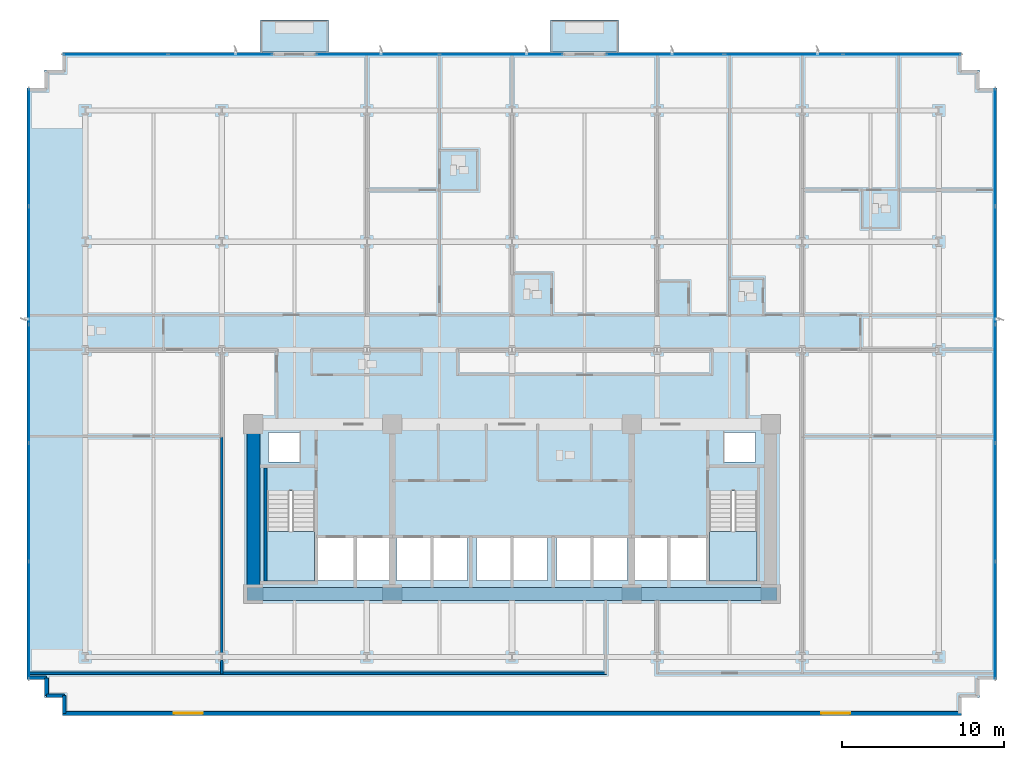
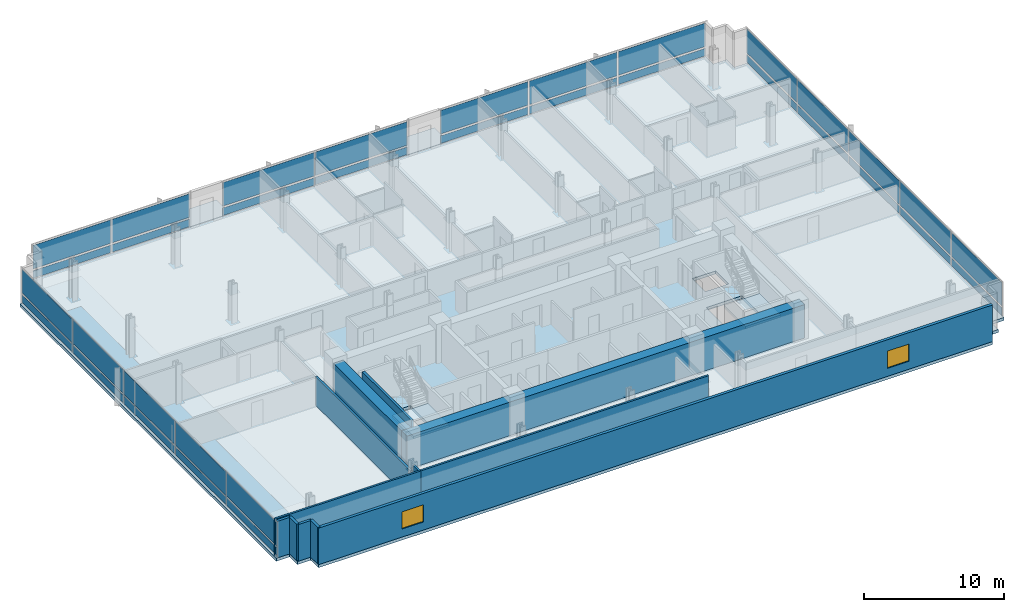
# One storey, part 7 of 18: 34 plates, 12 walls, 5 slabs, 2 windows, 2 openings, 7 elements without a shape of their own.
"""IFC4 building model written with IfcOpenShell, lengths in metres."""

from ifc_helpers import new_model, si_unit, direction, frame, frame_2d, origin, origin_2d, place, context, subcontext, project, spatial, polyline, rectangle, outline, extrude, material, layer, layer_set, type_object, element, fill, aggregate, save


model = new_model("IFC4")

# Units and contexts
model_context = context("Model", 3, precision=1e-05, world=origin(), true_north=direction((0.0, 1.0)))
body_context = subcontext(model_context, "Body", "Model", "MODEL_VIEW")
ifc_project = project(units=[si_unit("LENGTHUNIT", "METRE"), si_unit("AREAUNIT", "SQUARE_METRE"), si_unit("VOLUMEUNIT", "CUBIC_METRE"), si_unit("PLANEANGLEUNIT", "RADIAN"), si_unit("MASSUNIT", "GRAM", prefix="KILO")], contexts=[model_context])

# Site, building, storey
site_placement = place(None, origin())
site = spatial("IfcSite", under=ifc_project, at=site_placement, CompositionType="ELEMENT")
building_placement = place(site_placement, origin())
building = spatial("IfcBuilding", under=site, at=building_placement, Name="Solmavex Isthmus Hotel", CompositionType="ELEMENT")
storey_placement = place(building_placement, frame((0.0, 0.0, 43.64990234375)))
storey = spatial("IfcBuildingStorey", under=building, at=storey_placement, Name="L11", CompositionType="ELEMENT", Elevation=43.64990234375)

# Curtain wall, plates
ifc_material_1 = material(Name="Aluminium alloy 6063-T6", Category="aluminium")
curtain_wall_type = type_object("IfcCurtainWallType", Name="CW-SYS-02", PredefinedType="NOTDEFINED", material=ifc_material_1)
curtain_wall_1_placement = place(storey_placement, origin())
curtain_wall_1 = element("IfcCurtainWall", 1, at=curtain_wall_1_placement, inside=storey, type_object=curtain_wall_type, Name="Stick Curtain Wall CWL-L11-N1", PredefinedType="NOTDEFINED")
ifc_material_2 = material(Name="Clear low-E laminated glass", Category="glass")
ifc_layer_1 = layer(ifc_material_2, 0.031982421875)
ifc_layer_set_1 = layer_set([ifc_layer_1], Name="Clear low-E laminated glass")
plate_type = type_object("IfcPlateType", Name="CW-SYS-02-PNL", PredefinedType="CURTAIN_PANEL", material=ifc_layer_set_1)
plate_1_placement = place(storey_placement, frame((-24.522216796875, 20.3798828125, 0.16015625), z_axis=(0.0, 0.0, 1.0), x_axis=(1.0, 0.0, 0.0)))
plate_1 = element("IfcPlate", 2, at=plate_1_placement, type_object=plate_type, Name="CW-02 panel 1.1", PredefinedType="CURTAIN_PANEL", context=body_context, shape_type="SweptSolid", body=[
    extrude(rectangle(XDim=6.405517578125, YDim=0.031982421875, at=origin_2d()), origin(), (0.0, 0.0, 1.0), 0.659912109375),
])
plate_2_placement = place(storey_placement, frame((-24.522216796875, 20.3798828125, 0.97998046875), z_axis=(0.0, 0.0, 1.0), x_axis=(1.0, 0.0, 0.0)))
plate_2 = element("IfcPlate", 3, at=plate_2_placement, type_object=plate_type, Name="CW-02 panel 1.2", PredefinedType="CURTAIN_PANEL", context=body_context, shape_type="SweptSolid", body=[
    extrude(rectangle(XDim=6.405517578125, YDim=0.031982421875, at=origin_2d()), origin(), (0.0, 0.0, 1.0), 2.050048828125),
])
plate_3_placement = place(storey_placement, frame((-18.041748046875, 20.3798828125, 0.16015625), z_axis=(0.0, 0.0, 1.0), x_axis=(1.0, 0.0, 0.0)))
plate_3 = element("IfcPlate", 4, at=plate_3_placement, type_object=plate_type, Name="CW-02 panel 2.1", PredefinedType="CURTAIN_PANEL", context=body_context, shape_type="SweptSolid", body=[
    extrude(rectangle(XDim=6.405517578125, YDim=0.031982421875, at=origin_2d()), origin(), (0.0, 0.0, 1.0), 0.659912109375),
])
plate_4_placement = place(storey_placement, frame((-18.041748046875, 20.3798828125, 0.97998046875), z_axis=(0.0, 0.0, 1.0), x_axis=(1.0, 0.0, 0.0)))
plate_4 = element("IfcPlate", 5, at=plate_4_placement, type_object=plate_type, Name="CW-02 panel 2.2", PredefinedType="CURTAIN_PANEL", context=body_context, shape_type="SweptSolid", body=[
    extrude(rectangle(XDim=6.405517578125, YDim=0.031982421875, at=origin_2d()), origin(), (0.0, 0.0, 1.0), 2.050048828125),
])
aggregate(curtain_wall_1, [plate_1, plate_2, plate_3, plate_4])

curtain_wall_2_placement = place(storey_placement, origin())
curtain_wall_2 = element("IfcCurtainWall", 6, at=curtain_wall_2_placement, inside=storey, type_object=curtain_wall_type, Name="Stick Curtain Wall CWL-L11-N2", PredefinedType="NOTDEFINED")
plate_5_placement = place(storey_placement, frame((-8.30712890625, 20.3798828125, 0.16015625), z_axis=(0.0, 0.0, 1.0), x_axis=(1.0, 0.0, 0.0)))
plate_5 = element("IfcPlate", 7, at=plate_5_placement, type_object=plate_type, Name="CW-02 panel 1.1", PredefinedType="CURTAIN_PANEL", context=body_context, shape_type="SweptSolid", body=[
    extrude(rectangle(XDim=7.5634765625, YDim=0.031982421875, at=origin_2d()), origin(), (0.0, 0.0, 1.0), 0.659912109375),
])
plate_6_placement = place(storey_placement, frame((-8.30712890625, 20.3798828125, 0.97998046875), z_axis=(0.0, 0.0, 1.0), x_axis=(1.0, 0.0, 0.0)))
plate_6 = element("IfcPlate", 8, at=plate_6_placement, type_object=plate_type, Name="CW-02 panel 1.2", PredefinedType="CURTAIN_PANEL", context=body_context, shape_type="SweptSolid", body=[
    extrude(rectangle(XDim=7.5634765625, YDim=0.031982421875, at=origin_2d()), origin(), (0.0, 0.0, 1.0), 2.050048828125),
])
plate_7_placement = place(storey_placement, frame((-0.668701171875, 20.3798828125, 0.16015625), z_axis=(0.0, 0.0, 1.0), x_axis=(1.0, 0.0, 0.0)))
plate_7 = element("IfcPlate", 9, at=plate_7_placement, type_object=plate_type, Name="CW-02 panel 2.1", PredefinedType="CURTAIN_PANEL", context=body_context, shape_type="SweptSolid", body=[
    extrude(rectangle(XDim=7.5634765625, YDim=0.031982421875, at=origin_2d()), origin(), (0.0, 0.0, 1.0), 0.659912109375),
])
plate_8_placement = place(storey_placement, frame((-0.668701171875, 20.3798828125, 0.97998046875), z_axis=(0.0, 0.0, 1.0), x_axis=(1.0, 0.0, 0.0)))
plate_8 = element("IfcPlate", 10, at=plate_8_placement, type_object=plate_type, Name="CW-02 panel 2.2", PredefinedType="CURTAIN_PANEL", context=body_context, shape_type="SweptSolid", body=[
    extrude(rectangle(XDim=7.5634765625, YDim=0.031982421875, at=origin_2d()), origin(), (0.0, 0.0, 1.0), 2.050048828125),
])
aggregate(curtain_wall_2, [plate_5, plate_6, plate_7, plate_8])

curtain_wall_3_placement = place(storey_placement, origin())
curtain_wall_3 = element("IfcCurtainWall", 11, at=curtain_wall_3_placement, inside=storey, type_object=curtain_wall_type, Name="Stick Curtain Wall CWL-L11-N3", PredefinedType="NOTDEFINED")
plate_9_placement = place(storey_placement, frame((9.475341796875, 20.3798828125, 0.16015625), z_axis=(0.0, 0.0, 1.0), x_axis=(1.0, 0.0, 0.0)))
plate_9 = element("IfcPlate", 12, at=plate_9_placement, type_object=plate_type, Name="CW-02 panel 1.1", PredefinedType="CURTAIN_PANEL", context=body_context, shape_type="SweptSolid", body=[
    extrude(rectangle(XDim=7.224853515625, YDim=0.031982421875, at=origin_2d()), origin(), (0.0, 0.0, 1.0), 0.659912109375),
])
plate_10_placement = place(storey_placement, frame((9.475341796875, 20.3798828125, 0.97998046875), z_axis=(0.0, 0.0, 1.0), x_axis=(1.0, 0.0, 0.0)))
plate_10 = element("IfcPlate", 13, at=plate_10_placement, type_object=plate_type, Name="CW-02 panel 1.2", PredefinedType="CURTAIN_PANEL", context=body_context, shape_type="SweptSolid", body=[
    extrude(rectangle(XDim=7.224853515625, YDim=0.031982421875, at=origin_2d()), origin(), (0.0, 0.0, 1.0), 2.050048828125),
])
plate_11_placement = place(storey_placement, frame((16.7939453125, 20.3798828125, 0.16015625), z_axis=(0.0, 0.0, 1.0), x_axis=(1.0, 0.0, 0.0)))
plate_11 = element("IfcPlate", 14, at=plate_11_placement, type_object=plate_type, Name="CW-02 panel 2.1", PredefinedType="CURTAIN_PANEL", context=body_context, shape_type="SweptSolid", body=[
    extrude(rectangle(XDim=7.262451171875, YDim=0.031982421875, at=origin_2d()), origin(), (0.0, 0.0, 1.0), 0.659912109375),
])
plate_12_placement = place(storey_placement, frame((16.7939453125, 20.3798828125, 0.97998046875), z_axis=(0.0, 0.0, 1.0), x_axis=(1.0, 0.0, 0.0)))
plate_12 = element("IfcPlate", 15, at=plate_12_placement, type_object=plate_type, Name="CW-02 panel 2.2", PredefinedType="CURTAIN_PANEL", context=body_context, shape_type="SweptSolid", body=[
    extrude(rectangle(XDim=7.262451171875, YDim=0.031982421875, at=origin_2d()), origin(), (0.0, 0.0, 1.0), 2.050048828125),
])
plate_13_placement = place(storey_placement, frame((24.112548828125, 20.3798828125, 0.16015625), z_axis=(0.0, 0.0, 1.0), x_axis=(1.0, 0.0, 0.0)))
plate_13 = element("IfcPlate", 16, at=plate_13_placement, type_object=plate_type, Name="CW-02 panel 3.1", PredefinedType="CURTAIN_PANEL", context=body_context, shape_type="SweptSolid", body=[
    extrude(rectangle(XDim=7.224853515625, YDim=0.031982421875, at=origin_2d()), origin(), (0.0, 0.0, 1.0), 0.659912109375),
])
plate_14_placement = place(storey_placement, frame((24.112548828125, 20.3798828125, 0.97998046875), z_axis=(0.0, 0.0, 1.0), x_axis=(1.0, 0.0, 0.0)))
plate_14 = element("IfcPlate", 17, at=plate_14_placement, type_object=plate_type, Name="CW-02 panel 3.2", PredefinedType="CURTAIN_PANEL", context=body_context, shape_type="SweptSolid", body=[
    extrude(rectangle(XDim=7.224853515625, YDim=0.031982421875, at=origin_2d()), origin(), (0.0, 0.0, 1.0), 2.050048828125),
])
aggregate(curtain_wall_3, [plate_9, plate_10, plate_11, plate_12, plate_13, plate_14])

curtain_wall_4_placement = place(storey_placement, origin())
curtain_wall_4 = element("IfcCurtainWall", 18, at=curtain_wall_4_placement, inside=storey, type_object=curtain_wall_type, Name="Stick Curtain Wall CWL-L11-W1", PredefinedType="NOTDEFINED")
plate_15_placement = place(storey_placement, frame((-29.8798828125, -14.621337890625, 0.16015625), z_axis=(0.0, 0.0, 1.0), x_axis=(0.0, 1.0, 0.0)))
plate_15 = element("IfcPlate", 19, at=plate_15_placement, type_object=plate_type, Name="CW-02 panel 1.1", PredefinedType="CURTAIN_PANEL", context=body_context, shape_type="SweptSolid", body=[
    extrude(rectangle(XDim=7.20751953125, YDim=0.031982421875, at=origin_2d()), origin(), (0.0, 0.0, 1.0), 0.659912109375),
])
plate_16_placement = place(storey_placement, frame((-29.8798828125, -14.621337890625, 0.97998046875), z_axis=(0.0, 0.0, 1.0), x_axis=(0.0, 1.0, 0.0)))
plate_16 = element("IfcPlate", 20, at=plate_16_placement, type_object=plate_type, Name="CW-02 panel 1.2", PredefinedType="CURTAIN_PANEL", context=body_context, shape_type="SweptSolid", body=[
    extrude(rectangle(XDim=7.20751953125, YDim=0.031982421875, at=origin_2d()), origin(), (0.0, 0.0, 1.0), 2.050048828125),
])
plate_17_placement = place(storey_placement, frame((-29.8798828125, -7.320068359375, 0.16015625), z_axis=(0.0, 0.0, 1.0), x_axis=(0.0, 1.0, 0.0)))
plate_17 = element("IfcPlate", 21, at=plate_17_placement, type_object=plate_type, Name="CW-02 panel 2.1", PredefinedType="CURTAIN_PANEL", context=body_context, shape_type="SweptSolid", body=[
    extrude(rectangle(XDim=7.2451171875, YDim=0.031982421875, at=origin_2d()), origin(), (0.0, 0.0, 1.0), 0.659912109375),
])
plate_18_placement = place(storey_placement, frame((-29.8798828125, -7.320068359375, 0.97998046875), z_axis=(0.0, 0.0, 1.0), x_axis=(0.0, 1.0, 0.0)))
plate_18 = element("IfcPlate", 22, at=plate_18_placement, type_object=plate_type, Name="CW-02 panel 2.2", PredefinedType="CURTAIN_PANEL", context=body_context, shape_type="SweptSolid", body=[
    extrude(rectangle(XDim=7.2451171875, YDim=0.031982421875, at=origin_2d()), origin(), (0.0, 0.0, 1.0), 2.050048828125),
])
plate_19_placement = place(storey_placement, frame((-29.8798828125, 0.0, 0.16015625), z_axis=(0.0, 0.0, 1.0), x_axis=(0.0, 1.0, 0.0)))
plate_19 = element("IfcPlate", 23, at=plate_19_placement, type_object=plate_type, Name="CW-02 panel 3.1", PredefinedType="CURTAIN_PANEL", context=body_context, shape_type="SweptSolid", body=[
    extrude(rectangle(XDim=7.2451171875, YDim=0.031982421875, at=origin_2d()), origin(), (0.0, 0.0, 1.0), 0.659912109375),
])
plate_20_placement = place(storey_placement, frame((-29.8798828125, 0.0, 0.97998046875), z_axis=(0.0, 0.0, 1.0), x_axis=(0.0, 1.0, 0.0)))
plate_20 = element("IfcPlate", 24, at=plate_20_placement, type_object=plate_type, Name="CW-02 panel 3.2", PredefinedType="CURTAIN_PANEL", context=body_context, shape_type="SweptSolid", body=[
    extrude(rectangle(XDim=7.2451171875, YDim=0.031982421875, at=origin_2d()), origin(), (0.0, 0.0, 1.0), 2.050048828125),
])
plate_21_placement = place(storey_placement, frame((-29.8798828125, 7.320068359375, 0.16015625), z_axis=(0.0, 0.0, 1.0), x_axis=(0.0, 1.0, 0.0)))
plate_21 = element("IfcPlate", 25, at=plate_21_placement, type_object=plate_type, Name="CW-02 panel 4.1", PredefinedType="CURTAIN_PANEL", context=body_context, shape_type="SweptSolid", body=[
    extrude(rectangle(XDim=7.2451171875, YDim=0.031982421875, at=origin_2d()), origin(), (0.0, 0.0, 1.0), 0.659912109375),
])
plate_22_placement = place(storey_placement, frame((-29.8798828125, 7.320068359375, 0.97998046875), z_axis=(0.0, 0.0, 1.0), x_axis=(0.0, 1.0, 0.0)))
plate_22 = element("IfcPlate", 26, at=plate_22_placement, type_object=plate_type, Name="CW-02 panel 4.2", PredefinedType="CURTAIN_PANEL", context=body_context, shape_type="SweptSolid", body=[
    extrude(rectangle(XDim=7.2451171875, YDim=0.031982421875, at=origin_2d()), origin(), (0.0, 0.0, 1.0), 2.050048828125),
])
plate_23_placement = place(storey_placement, frame((-29.8798828125, 14.621337890625, 0.16015625), z_axis=(0.0, 0.0, 1.0), x_axis=(0.0, 1.0, 0.0)))
plate_23 = element("IfcPlate", 27, at=plate_23_placement, type_object=plate_type, Name="CW-02 panel 5.1", PredefinedType="CURTAIN_PANEL", context=body_context, shape_type="SweptSolid", body=[
    extrude(rectangle(XDim=7.20751953125, YDim=0.031982421875, at=origin_2d()), origin(), (0.0, 0.0, 1.0), 0.659912109375),
])
plate_24_placement = place(storey_placement, frame((-29.8798828125, 14.621337890625, 0.97998046875), z_axis=(0.0, 0.0, 1.0), x_axis=(0.0, 1.0, 0.0)))
plate_24 = element("IfcPlate", 28, at=plate_24_placement, type_object=plate_type, Name="CW-02 panel 5.2", PredefinedType="CURTAIN_PANEL", context=body_context, shape_type="SweptSolid", body=[
    extrude(rectangle(XDim=7.20751953125, YDim=0.031982421875, at=origin_2d()), origin(), (0.0, 0.0, 1.0), 2.050048828125),
])
aggregate(curtain_wall_4, [plate_15, plate_16, plate_17, plate_18, plate_19, plate_20, plate_21, plate_22, plate_23, plate_24])

curtain_wall_5_placement = place(storey_placement, origin())
curtain_wall_5 = element("IfcCurtainWall", 29, at=curtain_wall_5_placement, inside=storey, type_object=curtain_wall_type, Name="Stick Curtain Wall CWL-L11-E1", PredefinedType="NOTDEFINED")
plate_25_placement = place(storey_placement, frame((29.8798828125, -14.621337890625, 0.16015625), z_axis=(0.0, 0.0, 1.0), x_axis=(0.0, 1.0, 0.0)))
plate_25 = element("IfcPlate", 30, at=plate_25_placement, type_object=plate_type, Name="CW-02 panel 1.1", PredefinedType="CURTAIN_PANEL", context=body_context, shape_type="SweptSolid", body=[
    extrude(rectangle(XDim=7.20751953125, YDim=0.031982421875, at=origin_2d()), origin(), (0.0, 0.0, 1.0), 0.659912109375),
])
plate_26_placement = place(storey_placement, frame((29.8798828125, -14.621337890625, 0.97998046875), z_axis=(0.0, 0.0, 1.0), x_axis=(0.0, 1.0, 0.0)))
plate_26 = element("IfcPlate", 31, at=plate_26_placement, type_object=plate_type, Name="CW-02 panel 1.2", PredefinedType="CURTAIN_PANEL", context=body_context, shape_type="SweptSolid", body=[
    extrude(rectangle(XDim=7.20751953125, YDim=0.031982421875, at=origin_2d()), origin(), (0.0, 0.0, 1.0), 2.050048828125),
])
plate_27_placement = place(storey_placement, frame((29.8798828125, -7.320068359375, 0.16015625), z_axis=(0.0, 0.0, 1.0), x_axis=(0.0, 1.0, 0.0)))
plate_27 = element("IfcPlate", 32, at=plate_27_placement, type_object=plate_type, Name="CW-02 panel 2.1", PredefinedType="CURTAIN_PANEL", context=body_context, shape_type="SweptSolid", body=[
    extrude(rectangle(XDim=7.2451171875, YDim=0.031982421875, at=origin_2d()), origin(), (0.0, 0.0, 1.0), 0.659912109375),
])
plate_28_placement = place(storey_placement, frame((29.8798828125, -7.320068359375, 0.97998046875), z_axis=(0.0, 0.0, 1.0), x_axis=(0.0, 1.0, 0.0)))
plate_28 = element("IfcPlate", 33, at=plate_28_placement, type_object=plate_type, Name="CW-02 panel 2.2", PredefinedType="CURTAIN_PANEL", context=body_context, shape_type="SweptSolid", body=[
    extrude(rectangle(XDim=7.2451171875, YDim=0.031982421875, at=origin_2d()), origin(), (0.0, 0.0, 1.0), 2.050048828125),
])
plate_29_placement = place(storey_placement, frame((29.8798828125, 0.0, 0.16015625), z_axis=(0.0, 0.0, 1.0), x_axis=(0.0, 1.0, 0.0)))
plate_29 = element("IfcPlate", 34, at=plate_29_placement, type_object=plate_type, Name="CW-02 panel 3.1", PredefinedType="CURTAIN_PANEL", context=body_context, shape_type="SweptSolid", body=[
    extrude(rectangle(XDim=7.2451171875, YDim=0.031982421875, at=origin_2d()), origin(), (0.0, 0.0, 1.0), 0.659912109375),
])
plate_30_placement = place(storey_placement, frame((29.8798828125, 0.0, 0.97998046875), z_axis=(0.0, 0.0, 1.0), x_axis=(0.0, 1.0, 0.0)))
plate_30 = element("IfcPlate", 35, at=plate_30_placement, type_object=plate_type, Name="CW-02 panel 3.2", PredefinedType="CURTAIN_PANEL", context=body_context, shape_type="SweptSolid", body=[
    extrude(rectangle(XDim=7.2451171875, YDim=0.031982421875, at=origin_2d()), origin(), (0.0, 0.0, 1.0), 2.050048828125),
])
plate_31_placement = place(storey_placement, frame((29.8798828125, 7.320068359375, 0.16015625), z_axis=(0.0, 0.0, 1.0), x_axis=(0.0, 1.0, 0.0)))
plate_31 = element("IfcPlate", 36, at=plate_31_placement, type_object=plate_type, Name="CW-02 panel 4.1", PredefinedType="CURTAIN_PANEL", context=body_context, shape_type="SweptSolid", body=[
    extrude(rectangle(XDim=7.2451171875, YDim=0.031982421875, at=origin_2d()), origin(), (0.0, 0.0, 1.0), 0.659912109375),
])
plate_32_placement = place(storey_placement, frame((29.8798828125, 7.320068359375, 0.97998046875), z_axis=(0.0, 0.0, 1.0), x_axis=(0.0, 1.0, 0.0)))
plate_32 = element("IfcPlate", 37, at=plate_32_placement, type_object=plate_type, Name="CW-02 panel 4.2", PredefinedType="CURTAIN_PANEL", context=body_context, shape_type="SweptSolid", body=[
    extrude(rectangle(XDim=7.2451171875, YDim=0.031982421875, at=origin_2d()), origin(), (0.0, 0.0, 1.0), 2.050048828125),
])
plate_33_placement = place(storey_placement, frame((29.8798828125, 14.621337890625, 0.16015625), z_axis=(0.0, 0.0, 1.0), x_axis=(0.0, 1.0, 0.0)))
plate_33 = element("IfcPlate", 38, at=plate_33_placement, type_object=plate_type, Name="CW-02 panel 5.1", PredefinedType="CURTAIN_PANEL", context=body_context, shape_type="SweptSolid", body=[
    extrude(rectangle(XDim=7.20751953125, YDim=0.031982421875, at=origin_2d()), origin(), (0.0, 0.0, 1.0), 0.659912109375),
])
plate_34_placement = place(storey_placement, frame((29.8798828125, 14.621337890625, 0.97998046875), z_axis=(0.0, 0.0, 1.0), x_axis=(0.0, 1.0, 0.0)))
plate_34 = element("IfcPlate", 39, at=plate_34_placement, type_object=plate_type, Name="CW-02 panel 5.2", PredefinedType="CURTAIN_PANEL", context=body_context, shape_type="SweptSolid", body=[
    extrude(rectangle(XDim=7.20751953125, YDim=0.031982421875, at=origin_2d()), origin(), (0.0, 0.0, 1.0), 2.050048828125),
])
aggregate(curtain_wall_5, [plate_25, plate_26, plate_27, plate_28, plate_29, plate_30, plate_31, plate_32, plate_33, plate_34])

# Slabs
ifc_material_3 = material(Name="Concrete C40/50", Category="concrete")
ifc_layer_2 = layer(ifc_material_3, 0.239990234375)
ifc_layer_set_2 = layer_set([ifc_layer_2], Name="Concrete C40/50")
slab_type_1 = type_object("IfcSlabType", Name="SLAB-BALC-240", PredefinedType="FLOOR", material=ifc_layer_set_2)
slab_1_placement = place(storey_placement, frame((0.0, 0.0, -0.239990234375)))
element("IfcSlab", 40, at=slab_1_placement, inside=storey, type_object=slab_type_1, Name="Tree-Planter Balcony Slab L11-B1", PredefinedType="FLOOR", context=body_context, shape_type="SweptSolid", body=[
    extrude(outline(polyline([(-15.56396484375, 20.514892578125), (-11.364013671875, 20.514892578125), (-11.364013671875, 22.5), (-15.56396484375, 22.5), (-15.56396484375, 20.514892578125)])), origin(), (0.0, 0.0, 1.0), 0.239990234375),
])
slab_2_placement = place(storey_placement, frame((0.0, 0.0, -0.239990234375)))
element("IfcSlab", 41, at=slab_2_placement, inside=storey, type_object=slab_type_1, Name="Tree-Planter Balcony Slab L11-B2", PredefinedType="FLOOR", context=body_context, shape_type="SweptSolid", body=[
    extrude(outline(polyline([(2.387939453125, 20.514892578125), (6.587890625, 20.514892578125), (6.587890625, 22.5), (2.387939453125, 22.5), (2.387939453125, 20.514892578125)])), origin(), (0.0, 0.0, 1.0), 0.239990234375),
])
ifc_layer_3 = layer(ifc_material_3, 0.260009765625)
ifc_layer_set_3 = layer_set([ifc_layer_3], Name="Concrete C40/50")
slab_type_2 = type_object("IfcSlabType", Name="SLAB-TYP-260", PredefinedType="FLOOR", material=ifc_layer_set_3)
slab_3_placement = place(storey_placement, frame((0.0, 0.0, -0.260009765625)))
element("IfcSlab", 42, at=slab_3_placement, inside=storey, type_object=slab_type_2, Name="Tower Structural Floor Slab L11", PredefinedType="FLOOR", context=body_context, shape_type="SweptSolid", body=[
    extrude(outline(polyline([(-26.699951171875, -20.5), (26.699951171875, -20.5), (27.800048828125, -20.5), (27.800048828125, -19.39990234375), (28.89990234375, -19.39990234375), (28.89990234375, -18.300048828125), (30.0, -18.300048828125), (30.0, -17.199951171875), (30.0, 17.199951171875), (30.0, 18.300048828125), (28.89990234375, 18.300048828125), (28.89990234375, 19.39990234375), (27.800048828125, 19.39990234375), (27.800048828125, 20.5), (26.699951171875, 20.5), (-26.699951171875, 20.5), (-27.800048828125, 20.5), (-27.800048828125, 19.39990234375), (-28.89990234375, 19.39990234375), (-28.89990234375, 18.300048828125), (-30.0, 18.300048828125), (-30.0, 17.199951171875), (-30.0, -17.199951171875), (-30.0, -18.300048828125), (-28.89990234375, -18.300048828125), (-28.89990234375, -19.39990234375), (-27.800048828125, -19.39990234375), (-27.800048828125, -20.5), (-26.699951171875, -20.5)]), holes=[polyline([(-15.14990234375, -6.617919921875), (-15.14990234375, -12.199951171875), (-12.199951171875, -12.199951171875), (-12.199951171875, -6.617919921875), (-15.14990234375, -6.617919921875)]), polyline([(12.199951171875, -6.617919921875), (12.199951171875, -12.199951171875), (15.14990234375, -12.199951171875), (15.14990234375, -6.617919921875), (12.199951171875, -6.617919921875)]), polyline([(-12.0, -12.14990234375), (-9.800048828125, -12.14990234375), (-9.800048828125, -9.550048828125), (-12.0, -9.550048828125), (-12.0, -12.14990234375)]), polyline([(9.800048828125, -12.14990234375), (12.0, -12.14990234375), (12.0, -9.550048828125), (9.800048828125, -9.550048828125), (9.800048828125, -12.14990234375)]), polyline([(-9.60009765625, -12.14990234375), (-7.60009765625, -12.14990234375), (-7.60009765625, -9.550048828125), (-9.60009765625, -9.550048828125), (-9.60009765625, -12.14990234375)]), polyline([(7.60009765625, -12.14990234375), (9.60009765625, -12.14990234375), (9.60009765625, -9.550048828125), (7.60009765625, -9.550048828125), (7.60009765625, -12.14990234375)]), polyline([(-7.14990234375, -12.14990234375), (-5.050048828125, -12.14990234375), (-5.050048828125, -9.550048828125), (-7.14990234375, -9.550048828125), (-7.14990234375, -12.14990234375)]), polyline([(-4.85009765625, -12.14990234375), (-2.75, -12.14990234375), (-2.75, -9.550048828125), (-4.85009765625, -9.550048828125), (-4.85009765625, -12.14990234375)]), polyline([(-2.199951171875, -12.14990234375), (-0.10009765625, -12.14990234375), (-0.10009765625, -9.550048828125), (-2.199951171875, -9.550048828125), (-2.199951171875, -12.14990234375)]), polyline([(0.10009765625, -12.14990234375), (2.199951171875, -12.14990234375), (2.199951171875, -9.550048828125), (0.10009765625, -9.550048828125), (0.10009765625, -12.14990234375)]), polyline([(2.75, -12.14990234375), (4.85009765625, -12.14990234375), (4.85009765625, -9.550048828125), (2.75, -9.550048828125), (2.75, -12.14990234375)]), polyline([(5.050048828125, -12.14990234375), (7.14990234375, -12.14990234375), (7.14990234375, -9.550048828125), (5.050048828125, -9.550048828125), (5.050048828125, -12.14990234375)]), polyline([(-15.050048828125, -4.85009765625), (-13.14990234375, -4.85009765625), (-13.14990234375, -3.0), (-15.050048828125, -3.0), (-15.050048828125, -4.85009765625)]), polyline([(13.14990234375, -4.85009765625), (15.050048828125, -4.85009765625), (15.050048828125, -3.0), (13.14990234375, -3.0), (13.14990234375, -4.85009765625)])]), origin(), (0.0, 0.0, 1.0), 0.260009765625),
])

# Stair, slab
stair_type_1 = type_object("IfcStairType", Name="STR-ST-1", PredefinedType="HALF_TURN_STAIR", material=ifc_material_3)
stair_1_placement = place(storey_placement, origin())
stair_1 = element("IfcStair", 43, at=stair_1_placement, inside=storey, type_object=stair_type_1, Name="L11 Protected Exit Stair ST-1", PredefinedType="HALF_TURN_STAIR")
ifc_layer_4 = layer(ifc_material_3, 0.219970703125)
ifc_layer_set_4 = layer_set([ifc_layer_4], Name="Concrete C40/50")
slab_type_3 = type_object("IfcSlabType", Name="SLD-ST-1", PredefinedType="LANDING", material=ifc_layer_set_4)
slab_4_placement = place(storey_placement, frame((0.0, 0.0, 1.525146484375)))
slab_4 = element("IfcSlab", 44, at=slab_4_placement, type_object=slab_type_3, Name="ST-1 landing 1", PredefinedType="LANDING", context=body_context, shape_type="SweptSolid", body=[
    extrude(outline(polyline([(-15.14990234375, -9.1201171875), (-15.14990234375, -12.199951171875), (-12.199951171875, -12.199951171875), (-12.199951171875, -9.1201171875), (-15.14990234375, -9.1201171875)])), origin(), (0.0, 0.0, 1.0), 0.199951171875),
])
aggregate(stair_1, [slab_4])

stair_type_2 = type_object("IfcStairType", Name="STR-ST-2", PredefinedType="HALF_TURN_STAIR", material=ifc_material_3)
stair_2_placement = place(storey_placement, origin())
stair_2 = element("IfcStair", 45, at=stair_2_placement, inside=storey, type_object=stair_type_2, Name="L11 Protected Exit Stair ST-2", PredefinedType="HALF_TURN_STAIR")
ifc_layer_5 = layer(ifc_material_3, 0.219970703125)
ifc_layer_set_5 = layer_set([ifc_layer_5], Name="Concrete C40/50")
slab_type_4 = type_object("IfcSlabType", Name="SLD-ST-2", PredefinedType="LANDING", material=ifc_layer_set_5)
slab_5_placement = place(storey_placement, frame((0.0, 0.0, 1.525146484375)))
slab_5 = element("IfcSlab", 46, at=slab_5_placement, type_object=slab_type_4, Name="ST-2 landing 1", PredefinedType="LANDING", context=body_context, shape_type="SweptSolid", body=[
    extrude(outline(polyline([(12.199951171875, -9.1201171875), (12.199951171875, -12.199951171875), (15.14990234375, -12.199951171875), (15.14990234375, -9.1201171875), (12.199951171875, -9.1201171875)])), origin(), (0.0, 0.0, 1.0), 0.199951171875),
])
aggregate(stair_2, [slab_5])

# Wall, openings, windows
ifc_material_4 = material(Name="Precast Concrete C40/50", Category="concrete")
ifc_layer_6 = layer(ifc_material_4, 0.25)
ifc_layer_set_6 = layer_set([ifc_layer_6], Name="Precast Concrete C40/50")
wall_type_1 = type_object("IfcWallType", Name="EW-TWR-250", PredefinedType="STANDARD", material=ifc_layer_set_6)
wall_1_placement = place(storey_placement, frame((-27.800048828125, -20.3798828125, 0.0), z_axis=(0.0, 0.0, 1.0), x_axis=(1.0, 0.0, 0.0)))
wall_1 = element("IfcWall", 47, at=wall_1_placement, inside=storey, type_object=wall_type_1, Name="Tower Rear South Facade Wall L11", PredefinedType="STANDARD", context=body_context, shape_type="SweptSolid", body=[
    extrude(rectangle(XDim=55.60009765625, YDim=0.239990234375, at=frame_2d((27.800048828125, 0.0))), origin(), (0.0, 0.0, 1.0), 3.190185546875),
])
opening_1_placement = place(wall_1_placement, frame((6.884033203125, 0.0, 0.699951171875)))
opening_1 = element("IfcOpeningElement", 48, at=opening_1_placement, cuts=wall_1, Name="Opening WN-02", PredefinedType="OPENING", context=body_context, shape_type="SweptSolid", body=[
    extrude(rectangle(XDim=1.800048828125, YDim=1.5, at=frame_2d((0.89990234375, 0.75))), frame((0.0, 0.1298828125, 0.0), z_axis=(0.0, -1.0, 0.0), x_axis=(1.0, 0.0, 0.0)), (0.0, 0.0, 1.0), 0.260009765625),
])
opening_2_placement = place(wall_1_placement, frame((46.916015625, 0.0, 0.699951171875)))
opening_2 = element("IfcOpeningElement", 49, at=opening_2_placement, cuts=wall_1, Name="Opening WN-02", PredefinedType="OPENING", context=body_context, shape_type="SweptSolid", body=[
    extrude(rectangle(XDim=1.800048828125, YDim=1.5, at=frame_2d((0.89990234375, 0.75))), frame((0.0, 0.1298828125, 0.0), z_axis=(0.0, -1.0, 0.0), x_axis=(1.0, 0.0, 0.0)), (0.0, 0.0, 1.0), 0.260009765625),
])
window_type = type_object("IfcWindowType", Name="WIN-TWR-1800", PartitioningType="SINGLE_PANEL", PredefinedType="WINDOW", material=ifc_material_2)
window_1_placement = place(opening_1_placement, origin())
window_1 = element("IfcWindow", 50, at=window_1_placement, inside=storey, type_object=window_type, Name="South Facade Vision Window L11-S1", OverallHeight=1.5, OverallWidth=1.800048828125, PartitioningType="SINGLE_PANEL", PredefinedType="WINDOW", context=body_context, shape_type="SweptSolid", body=[
    extrude(rectangle(XDim=1.800048828125, YDim=1.5, at=frame_2d((0.89990234375, 0.75))), frame((0.0, 0.030029296875, 0.0), z_axis=(0.0, -1.0, 0.0), x_axis=(1.0, 0.0, 0.0)), (0.0, 0.0, 1.0), 0.06005859375),
])
fill(opening_1, window_1)
window_2_placement = place(opening_2_placement, origin())
window_2 = element("IfcWindow", 51, at=window_2_placement, inside=storey, type_object=window_type, Name="South Facade Vision Window L11-S2", OverallHeight=1.5, OverallWidth=1.800048828125, PartitioningType="SINGLE_PANEL", PredefinedType="WINDOW", context=body_context, shape_type="SweptSolid", body=[
    extrude(rectangle(XDim=1.800048828125, YDim=1.5, at=frame_2d((0.89990234375, 0.75))), frame((0.0, 0.030029296875, 0.0), z_axis=(0.0, -1.0, 0.0), x_axis=(1.0, 0.0, 0.0)), (0.0, 0.0, 1.0), 0.06005859375),
])
fill(opening_2, window_2)

# Walls
wall_2_placement = place(storey_placement, frame((-27.68994140625, -20.389892578125, 0.0), z_axis=(0.0, 0.0, 1.0), x_axis=(0.0, 1.0, 0.0)))
element("IfcWall", 52, at=wall_2_placement, inside=storey, type_object=wall_type_1, Name="Serrated Corner Facade Panel L11-01", PredefinedType="STANDARD", context=body_context, shape_type="SweptSolid", body=[
    extrude(rectangle(XDim=1.099853515625, YDim=0.219970703125, at=frame_2d((0.5498046875, 0.0))), origin(), (0.0, 0.0, 1.0), 3.190185546875),
])
for number, where, z_axis, x_axis, name in (
    (53, (-27.68994140625, -19.2900390625, 0.0), (0.0, 0.0, 1.0), (-1.0, 0.0, 0.0), "Serrated Corner Facade Panel L11-02"),
    (54, (-28.7900390625, -19.2900390625, 0.0), (0.0, 0.0, 1.0), (0.0, 1.0, 0.0), "Serrated Corner Facade Panel L11-03"),
):
    element("IfcWall", number, at=place(storey_placement, frame(where, z_axis=z_axis, x_axis=x_axis)), inside=storey, type_object=wall_type_1, Name=name, PredefinedType="STANDARD", context=body_context, shape_type="SweptSolid", body=[
        extrude(rectangle(XDim=1.10009765625, YDim=0.219970703125, at=frame_2d((0.550048828125, 0.0))), origin(), (0.0, 0.0, 1.0), 3.190185546875),
    ])
wall_3_placement = place(storey_placement, frame((-28.7900390625, -18.18994140625, 0.0), z_axis=(0.0, 0.0, 1.0), x_axis=(-1.0, 0.0, 0.0)))
element("IfcWall", 55, at=wall_3_placement, inside=storey, type_object=wall_type_1, Name="Serrated Corner Facade Panel L11-04", PredefinedType="STANDARD", context=body_context, shape_type="SweptSolid", body=[
    extrude(rectangle(XDim=1.099853515625, YDim=0.219970703125, at=frame_2d((0.5498046875, 0.0))), origin(), (0.0, 0.0, 1.0), 3.190185546875),
])
ifc_material_5 = material(Name="Gypsum plasterboard lining", Category="gypsum")
ifc_layer_7 = layer(ifc_material_5, 0.159912109375)
ifc_layer_set_7 = layer_set([ifc_layer_7], Name="Gypsum plasterboard lining")
wall_type_2 = type_object("IfcWallType", Name="IW-COMP-160", PredefinedType="PARTITIONING", material=ifc_layer_set_7)
wall_4_placement = place(storey_placement, frame((5.840087890625, -17.89990234375, 0.0), z_axis=(0.0, 0.0, 1.0), x_axis=(-1.0, 0.0, 0.0)))
element("IfcWall", 56, at=wall_4_placement, inside=storey, type_object=wall_type_2, Name="Interior Partition Wall W-L11-P087", PredefinedType="PARTITIONING", context=body_context, shape_type="SweptSolid", body=[
    extrude(rectangle(XDim=23.83203125, YDim=0.159912109375, at=frame_2d((11.916015625, 0.0))), origin(), (0.0, 0.0, 1.0), 3.190185546875),
])
wall_5_placement = place(storey_placement, frame((-17.951904296875, -16.72509765625, 0.0), z_axis=(0.0, 0.0, 1.0), x_axis=(0.0, 1.0, 0.0)))
element("IfcWall", 57, at=wall_5_placement, inside=storey, type_object=wall_type_2, Name="Interior Partition Wall W-L11-P088", PredefinedType="PARTITIONING", context=body_context, shape_type="SweptSolid", body=[
    extrude(rectangle(XDim=13.55712890625, YDim=0.159912109375, at=frame_2d((6.778564453125, 0.0))), origin(), (0.0, 0.0, 1.0), 2.4794921875),
])
wall_6_placement = place(storey_placement, frame((-17.951904296875, -17.93994140625, 0.0), z_axis=(0.0, 0.0, 1.0), x_axis=(0.0, 1.0, 0.0)))
element("IfcWall", 58, at=wall_6_placement, inside=storey, type_object=wall_type_2, Name="Interior Partition Wall W-L11-P089", PredefinedType="PARTITIONING", context=body_context, shape_type="SweptSolid", body=[
    extrude(rectangle(XDim=0.864990234375, YDim=0.159912109375, at=frame_2d((0.4326171875, 0.0))), origin(), (0.0, 0.0, 1.0), 3.190185546875),
])
wall_7_placement = place(storey_placement, frame((-29.919921875, -17.89990234375, 0.0), z_axis=(0.0, 0.0, 1.0), x_axis=(1.0, 0.0, 0.0)))
element("IfcWall", 59, at=wall_7_placement, inside=storey, type_object=wall_type_2, Name="Interior Partition Wall W-L11-P090", PredefinedType="PARTITIONING", context=body_context, shape_type="SweptSolid", body=[
    extrude(rectangle(XDim=12.0498046875, YDim=0.159912109375, at=frame_2d((6.02490234375, 0.0))), origin(), (0.0, 0.0, 1.0), 3.190185546875),
])
ifc_material_6 = material(Name="Concrete C70/85", Category="concrete")
ifc_layer_8 = layer(ifc_material_6, 0.800048828125)
ifc_layer_set_8 = layer_set([ifc_layer_8], Name="Concrete C70/85")
wall_type_3 = type_object("IfcWallType", Name="WALL-CW-800", PredefinedType="SHEAR", material=ifc_layer_set_8)
wall_8_placement = place(storey_placement, frame((-16.39990234375, -13.0, 0.0), z_axis=(0.0, 0.0, 1.0), x_axis=(1.0, 0.0, 0.0)))
element("IfcWall", 60, at=wall_8_placement, inside=storey, type_object=wall_type_3, Name="Core Shear Wall South L11", PredefinedType="SHEAR", context=body_context, shape_type="SweptSolid", body=[
    extrude(rectangle(XDim=32.7998046875, YDim=0.800048828125, at=frame_2d((16.39990234375, 0.0))), origin(), (0.0, 0.0, 1.0), 2.91015625),
])
wall_9_placement = place(storey_placement, frame((-16.0, -12.60009765625, 0.0), z_axis=(0.0, 0.0, 1.0), x_axis=(0.0, 1.0, 0.0)))
element("IfcWall", 61, at=wall_9_placement, inside=storey, type_object=wall_type_3, Name="Core Shear Wall West L11", PredefinedType="SHEAR", context=body_context, shape_type="SweptSolid", body=[
    extrude(rectangle(XDim=9.7001953125, YDim=0.800048828125, at=frame_2d((4.85009765625, 0.0))), origin(), (0.0, 0.0, 1.0), 2.91015625),
])
ifc_layer_9 = layer(ifc_material_3, 0.199951171875)
ifc_layer_set_9 = layer_set([ifc_layer_9], Name="Concrete C40/50")
wall_type_4 = type_object("IfcWallType", Name="WALL-SW-200", PredefinedType="SOLIDWALL", material=ifc_layer_set_9)
wall_10_placement = place(storey_placement, frame((-15.25, -12.199951171875, 0.0), z_axis=(0.0, 0.0, 1.0), x_axis=(0.0, 1.0, 0.0)))
element("IfcWall", 62, at=wall_10_placement, inside=storey, type_object=wall_type_4, Name="Stairwell Structural Wall SW-L11-ST1-W", PredefinedType="SOLIDWALL", context=body_context, shape_type="SweptSolid", body=[
    extrude(rectangle(XDim=7.0, YDim=0.199951171875, at=frame_2d((3.5, 0.0))), origin(), (0.0, 0.0, 1.0), 3.190185546875),
])

save(model, "model.ifc")
